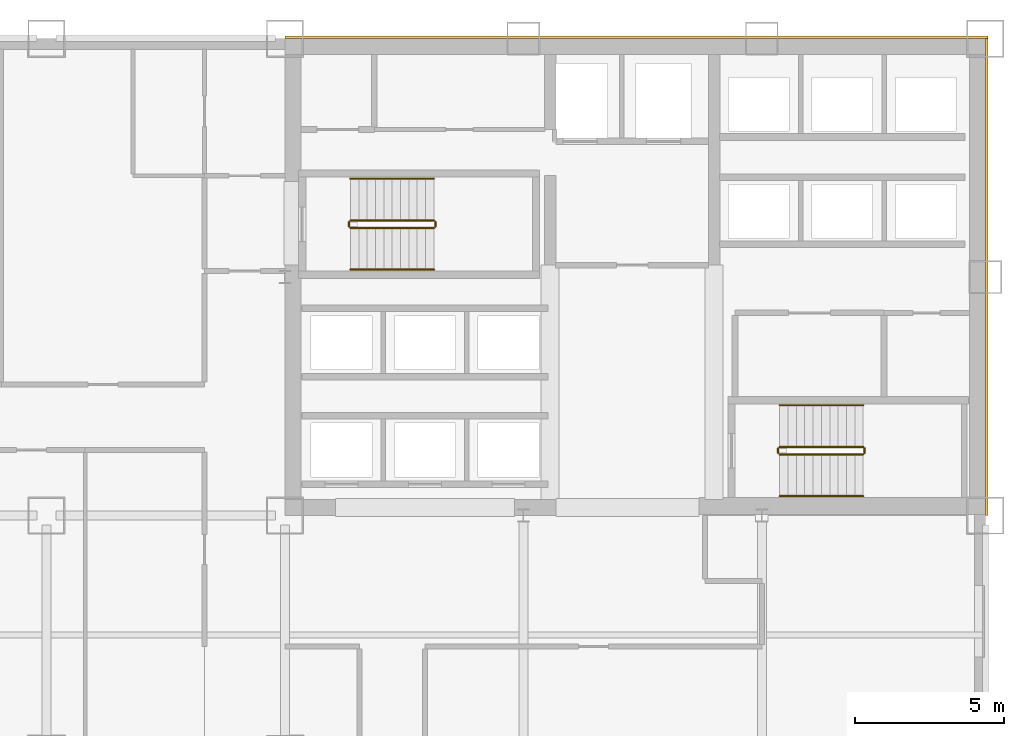
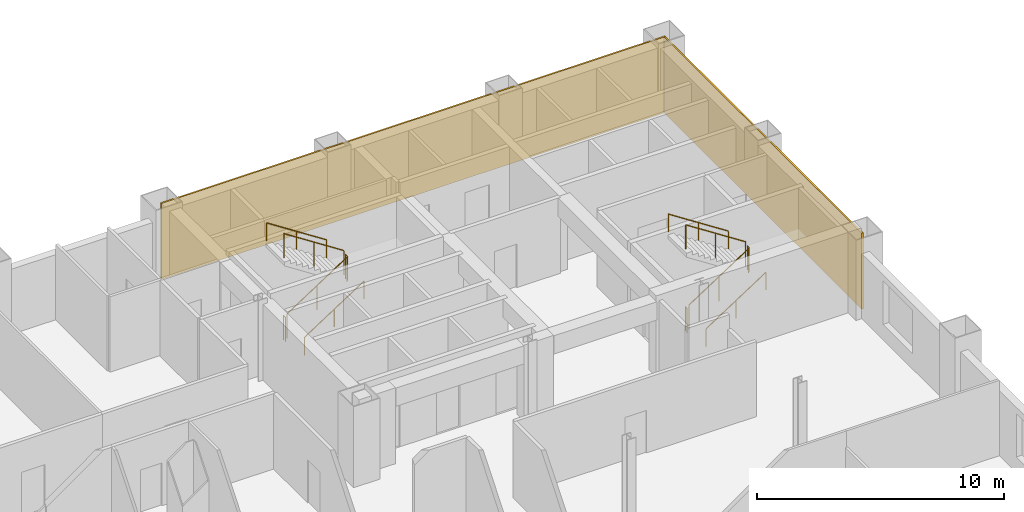
# One storey, part 9 of 9: 12 railings, 2 coverings.
"""IFC4 building model written with IfcOpenShell, lengths in metres."""

from ifc_helpers import new_model, si_unit, direction, frame, origin, origin_2d, place, context, subcontext, project, spatial, rectangle, circle, extrude, material, layer, layer_set, type_object, element, save


model = new_model("IFC4")

# Units and contexts
model_context = context("Model", 3, precision=1e-05, world=origin(), true_north=direction((0.0, 1.0)))
body_context = subcontext(model_context, "Body", "Model", "MODEL_VIEW")
ifc_project = project(units=[si_unit("LENGTHUNIT", "METRE"), si_unit("AREAUNIT", "SQUARE_METRE"), si_unit("VOLUMEUNIT", "CUBIC_METRE"), si_unit("PLANEANGLEUNIT", "RADIAN"), si_unit("MASSUNIT", "GRAM", prefix="KILO")], contexts=[model_context])

# Site, building, storey
site_placement = place(None, origin())
site = spatial("IfcSite", under=ifc_project, at=site_placement, CompositionType="ELEMENT")
building_placement = place(site_placement, origin())
building = spatial("IfcBuilding", under=site, at=building_placement, Name="Qianrong Seaharbour Tower", CompositionType="ELEMENT")
storey_placement = place(building_placement, frame((0.0, 0.0, 96.199951171875)))
storey = spatial("IfcBuildingStorey", under=building, at=storey_placement, Name="L23", CompositionType="ELEMENT", Elevation=96.199951171875)

# Coverings
ifc_material_1 = material(Name="Unitised red brick cladding on Precast concrete C45/55", Category="masonry")
ifc_layer = layer(ifc_material_1, 0.080078125)
ifc_layer_set = layer_set([ifc_layer], Name="Unitised red brick cladding on Precast concrete C45/55")
covering_type = type_object("IfcCoveringType", Name="COV-CLAD-RED-BRICK-80", PredefinedType="CLADDING", material=ifc_layer_set)
covering_1_placement = place(storey_placement, frame((52.2900390625, 52.0400390625, 0.0), z_axis=(0.0, 0.0, 1.0), x_axis=(1.0, 0.0, 0.0)))
element("IfcCovering", 1, at=covering_1_placement, inside=storey, type_object=covering_type, Name="L23 North Core Brick Veneer Cladding", PredefinedType="CLADDING", context=body_context, shape_type="SweptSolid", body=[
    extrude(rectangle(XDim=23.580078125, YDim=0.080078125, at=origin_2d()), origin(), (0.0, 0.0, 1.0), 3.75),
])
covering_2_placement = place(storey_placement, frame((64.0400390625, 44.0, 0.0), z_axis=(0.0, 0.0, 1.0), x_axis=(1.0, 0.0, 0.0)))
element("IfcCovering", 2, at=covering_2_placement, inside=storey, type_object=covering_type, Name="L23 East Core Brick Veneer Cladding", PredefinedType="CLADDING", context=body_context, shape_type="SweptSolid", body=[
    extrude(rectangle(XDim=0.080078125, YDim=16.0, at=origin_2d()), origin(), (0.0, 0.0, 1.0), 3.75),
])

# Railings
ifc_material_2 = material(Name="Galvanized painted steel SN400B stair guard", Category="steel")
railing_type_1 = type_object("IfcRailingType", Name="RAIL-STAIR-GUARD-1220", PredefinedType="GUARDRAIL", material=ifc_material_2)
railing_1_placement = place(storey_placement, frame((42.699951171875, 45.64990234375, 0.181884765625)))
element("IfcRailing", 3, at=railing_1_placement, inside=storey, type_object=railing_type_1, Name="L23 ST-1 stair guard 1", PredefinedType="GUARDRAIL", context=body_context, shape_type="SweptSolid", body=[
    extrude(circle(Radius=0.02392578125, at=origin_2d()), frame((0.0, 0.0, 1.19580078125), z_axis=(0.838705829183, 0.0, 0.544584733623), x_axis=(0.0, 1.0, 0.0)), (0.0, 0.0, 1.0), 3.338623046875),
    extrude(circle(Radius=0.02099609375, at=origin_2d()), origin(), (0.0, 0.0, 1.0), 1.171875),
    extrude(circle(Radius=0.02099609375, at=origin_2d()), frame((1.39990234375, 0.0, 0.9091796875)), (0.0, 0.0, 1.0), 1.171875),
    extrude(circle(Radius=0.02099609375, at=origin_2d()), frame((2.800048828125, 0.0, 1.818115234375)), (0.0, 0.0, 1.0), 1.171875),
])
railing_2_placement = place(storey_placement, frame((45.550048828125, 45.699951171875, 2.0)))
element("IfcRailing", 4, at=railing_2_placement, inside=storey, type_object=railing_type_1, Name="L23 ST-1 stair guard 2", PredefinedType="GUARDRAIL", context=body_context, shape_type="SweptSolid", body=[
    extrude(circle(Radius=0.02392578125, at=origin_2d()), frame((0.0, 0.0, 1.19580078125), z_axis=(0.0, 1.0, 0.0), x_axis=(-1.0, 0.0, 0.0)), (0.0, 0.0, 1.0), 0.150146484375),
    extrude(circle(Radius=0.02099609375, at=origin_2d()), origin(), (0.0, 0.0, 1.0), 1.171875),
    extrude(circle(Radius=0.02099609375, at=origin_2d()), frame((0.0, 0.150146484375, 0.0)), (0.0, 0.0, 1.0), 1.171875),
])
railing_3_placement = place(storey_placement, frame((45.5, 45.89990234375, 2.181884765625)))
element("IfcRailing", 5, at=railing_3_placement, inside=storey, type_object=railing_type_1, Name="L23 ST-1 stair guard 3", PredefinedType="GUARDRAIL", context=body_context, shape_type="SweptSolid", body=[
    extrude(circle(Radius=0.02392578125, at=origin_2d()), frame((0.0, 0.0, 1.19580078125), z_axis=(-0.838705829183, 0.0, 0.544584733623), x_axis=(0.0, -1.0, 0.0)), (0.0, 0.0, 1.0), 3.338623046875),
    extrude(circle(Radius=0.02099609375, at=origin_2d()), origin(), (0.0, 0.0, 1.0), 1.171875),
    extrude(circle(Radius=0.02099609375, at=origin_2d()), frame((-1.39990234375, 0.0, 0.9091796875)), (0.0, 0.0, 1.0), 1.171875),
    extrude(circle(Radius=0.02099609375, at=origin_2d()), frame((-2.800048828125, 0.0, 1.818115234375)), (0.0, 0.0, 1.0), 1.171875),
])
railing_4_placement = place(storey_placement, frame((42.64990234375, 45.699951171875, 0.0)))
element("IfcRailing", 6, at=railing_4_placement, inside=storey, type_object=railing_type_1, Name="L23 ST-1 stair guard 4", PredefinedType="GUARDRAIL", context=body_context, shape_type="SweptSolid", body=[
    extrude(circle(Radius=0.02392578125, at=origin_2d()), frame((0.0, 0.0, 1.19580078125), z_axis=(0.0, 1.0, 0.0), x_axis=(-1.0, 0.0, 0.0)), (0.0, 0.0, 1.0), 0.150146484375),
    extrude(circle(Radius=0.02099609375, at=origin_2d()), origin(), (0.0, 0.0, 1.0), 1.171875),
    extrude(circle(Radius=0.02099609375, at=origin_2d()), frame((0.0, 0.150146484375, 0.0)), (0.0, 0.0, 1.0), 1.171875),
])
railing_5_placement = place(storey_placement, frame((57.10009765625, 38.050048828125, 0.181884765625)))
element("IfcRailing", 7, at=railing_5_placement, inside=storey, type_object=railing_type_1, Name="L23 ST-2 stair guard 1", PredefinedType="GUARDRAIL", context=body_context, shape_type="SweptSolid", body=[
    extrude(circle(Radius=0.02392578125, at=origin_2d()), frame((0.0, 0.0, 1.19580078125), z_axis=(0.83868413941, 0.0, 0.544618136222), x_axis=(0.0, 1.0, 0.0)), (0.0, 0.0, 1.0), 3.33837890625),
    extrude(circle(Radius=0.02099609375, at=origin_2d()), origin(), (0.0, 0.0, 1.0), 1.171875),
    extrude(circle(Radius=0.02099609375, at=origin_2d()), frame((1.39990234375, 0.0, 0.9091796875)), (0.0, 0.0, 1.0), 1.171875),
    extrude(circle(Radius=0.02099609375, at=origin_2d()), frame((2.7998046875, 0.0, 1.818115234375)), (0.0, 0.0, 1.0), 1.171875),
])
railing_6_placement = place(storey_placement, frame((59.949951171875, 38.10009765625, 2.0)))
element("IfcRailing", 8, at=railing_6_placement, inside=storey, type_object=railing_type_1, Name="L23 ST-2 stair guard 2", PredefinedType="GUARDRAIL", context=body_context, shape_type="SweptSolid", body=[
    extrude(circle(Radius=0.02392578125, at=origin_2d()), frame((0.0, 0.0, 1.19580078125), z_axis=(0.0, 1.0, 0.0), x_axis=(-1.0, 0.0, 0.0)), (0.0, 0.0, 1.0), 0.14990234375),
    extrude(circle(Radius=0.02099609375, at=origin_2d()), origin(), (0.0, 0.0, 1.0), 1.171875),
    extrude(circle(Radius=0.02099609375, at=origin_2d()), frame((0.0, 0.14990234375, 0.0)), (0.0, 0.0, 1.0), 1.171875),
])
railing_7_placement = place(storey_placement, frame((59.89990234375, 38.300048828125, 2.181884765625)))
element("IfcRailing", 9, at=railing_7_placement, inside=storey, type_object=railing_type_1, Name="L23 ST-2 stair guard 3", PredefinedType="GUARDRAIL", context=body_context, shape_type="SweptSolid", body=[
    extrude(circle(Radius=0.02392578125, at=origin_2d()), frame((0.0, 0.0, 1.19580078125), z_axis=(-0.83868413941, 0.0, 0.544618136222), x_axis=(0.0, -1.0, 0.0)), (0.0, 0.0, 1.0), 3.33837890625),
    extrude(circle(Radius=0.02099609375, at=origin_2d()), origin(), (0.0, 0.0, 1.0), 1.171875),
    extrude(circle(Radius=0.02099609375, at=origin_2d()), frame((-1.39990234375, 0.0, 0.9091796875)), (0.0, 0.0, 1.0), 1.171875),
    extrude(circle(Radius=0.02099609375, at=origin_2d()), frame((-2.7998046875, 0.0, 1.818115234375)), (0.0, 0.0, 1.0), 1.171875),
])
railing_8_placement = place(storey_placement, frame((57.050048828125, 38.10009765625, 0.0)))
element("IfcRailing", 10, at=railing_8_placement, inside=storey, type_object=railing_type_1, Name="L23 ST-2 stair guard 4", PredefinedType="GUARDRAIL", context=body_context, shape_type="SweptSolid", body=[
    extrude(circle(Radius=0.02392578125, at=origin_2d()), frame((0.0, 0.0, 1.19580078125), z_axis=(0.0, 1.0, 0.0), x_axis=(-1.0, 0.0, 0.0)), (0.0, 0.0, 1.0), 0.14990234375),
    extrude(circle(Radius=0.02099609375, at=origin_2d()), origin(), (0.0, 0.0, 1.0), 1.171875),
    extrude(circle(Radius=0.02099609375, at=origin_2d()), frame((0.0, 0.14990234375, 0.0)), (0.0, 0.0, 1.0), 1.171875),
])
ifc_material_3 = material(Name="Stainless steel SUS316L continuous handrail", Category="steel")
railing_type_2 = type_object("IfcRailingType", Name="RAIL-STAIR-HANDRAIL-900", PredefinedType="HANDRAIL", material=ifc_material_3)
railing_9_placement = place(storey_placement, frame((42.699951171875, 44.25, 0.181884765625)))
element("IfcRailing", 11, at=railing_9_placement, inside=storey, type_object=railing_type_2, Name="L23 ST-1 stair handrail 1", PredefinedType="HANDRAIL", context=body_context, shape_type="SweptSolid", body=[
    extrude(circle(Radius=0.02392578125, at=origin_2d()), frame((0.0, 0.0, 0.8759765625), z_axis=(0.838705829183, 0.0, 0.544584733623), x_axis=(0.0, 1.0, 0.0)), (0.0, 0.0, 1.0), 3.338623046875),
    extrude(circle(Radius=0.02099609375, at=origin_2d()), origin(), (0.0, 0.0, 1.0), 0.851806640625),
    extrude(circle(Radius=0.02099609375, at=origin_2d()), frame((1.39990234375, 0.0, 0.9091796875)), (0.0, 0.0, 1.0), 0.851806640625),
    extrude(circle(Radius=0.02099609375, at=origin_2d()), frame((2.800048828125, 0.0, 1.818115234375)), (0.0, 0.0, 1.0), 0.851806640625),
])
railing_10_placement = place(storey_placement, frame((45.5, 47.300048828125, 2.181884765625)))
element("IfcRailing", 12, at=railing_10_placement, inside=storey, type_object=railing_type_2, Name="L23 ST-1 stair handrail 2", PredefinedType="HANDRAIL", context=body_context, shape_type="SweptSolid", body=[
    extrude(circle(Radius=0.02392578125, at=origin_2d()), frame((0.0, 0.0, 0.8759765625), z_axis=(-0.838705829183, 0.0, 0.544584733623), x_axis=(0.0, -1.0, 0.0)), (0.0, 0.0, 1.0), 3.338623046875),
    extrude(circle(Radius=0.02099609375, at=origin_2d()), origin(), (0.0, 0.0, 1.0), 0.851806640625),
    extrude(circle(Radius=0.02099609375, at=origin_2d()), frame((-1.39990234375, 0.0, 0.9091796875)), (0.0, 0.0, 1.0), 0.851806640625),
    extrude(circle(Radius=0.02099609375, at=origin_2d()), frame((-2.800048828125, 0.0, 1.818115234375)), (0.0, 0.0, 1.0), 0.851806640625),
])
railing_11_placement = place(storey_placement, frame((57.10009765625, 36.64990234375, 0.181884765625)))
element("IfcRailing", 13, at=railing_11_placement, inside=storey, type_object=railing_type_2, Name="L23 ST-2 stair handrail 1", PredefinedType="HANDRAIL", context=body_context, shape_type="SweptSolid", body=[
    extrude(circle(Radius=0.02392578125, at=origin_2d()), frame((0.0, 0.0, 0.8759765625), z_axis=(0.83868413941, 0.0, 0.544618136222), x_axis=(0.0, 1.0, 0.0)), (0.0, 0.0, 1.0), 3.33837890625),
    extrude(circle(Radius=0.02099609375, at=origin_2d()), origin(), (0.0, 0.0, 1.0), 0.851806640625),
    extrude(circle(Radius=0.02099609375, at=origin_2d()), frame((1.39990234375, 0.0, 0.9091796875)), (0.0, 0.0, 1.0), 0.851806640625),
    extrude(circle(Radius=0.02099609375, at=origin_2d()), frame((2.7998046875, 0.0, 1.818115234375)), (0.0, 0.0, 1.0), 0.851806640625),
])
railing_12_placement = place(storey_placement, frame((59.89990234375, 39.699951171875, 2.181884765625)))
element("IfcRailing", 14, at=railing_12_placement, inside=storey, type_object=railing_type_2, Name="L23 ST-2 stair handrail 2", PredefinedType="HANDRAIL", context=body_context, shape_type="SweptSolid", body=[
    extrude(circle(Radius=0.02392578125, at=origin_2d()), frame((0.0, 0.0, 0.8759765625), z_axis=(-0.83868413941, 0.0, 0.544618136222), x_axis=(0.0, -1.0, 0.0)), (0.0, 0.0, 1.0), 3.33837890625),
    extrude(circle(Radius=0.02099609375, at=origin_2d()), origin(), (0.0, 0.0, 1.0), 0.851806640625),
    extrude(circle(Radius=0.02099609375, at=origin_2d()), frame((-1.39990234375, 0.0, 0.9091796875)), (0.0, 0.0, 1.0), 0.851806640625),
    extrude(circle(Radius=0.02099609375, at=origin_2d()), frame((-2.7998046875, 0.0, 1.818115234375)), (0.0, 0.0, 1.0), 0.851806640625),
])

save(model, "model.ifc")
